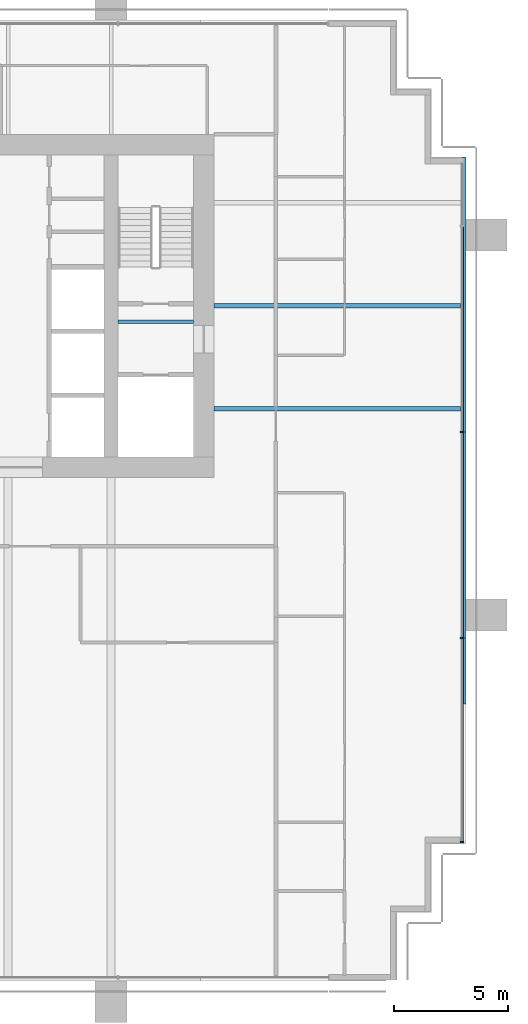
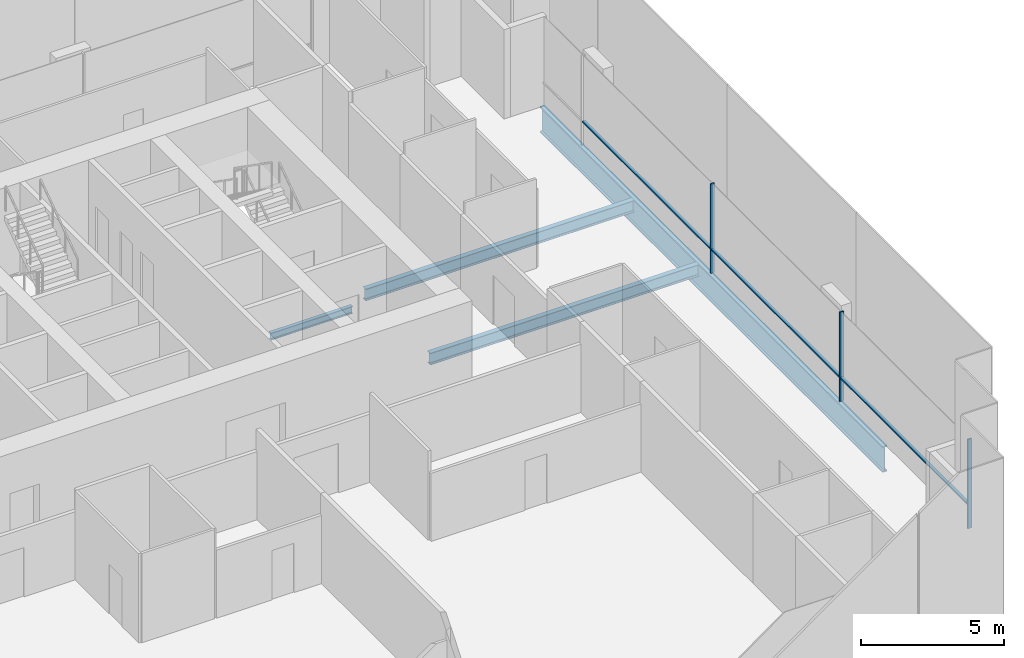
# One storey, part 6 of 17: 6 members, 4 beams, 1 element without a shape of its own.
"""IFC4 building model written with IfcOpenShell, lengths in metres."""

from ifc_helpers import new_model, si_unit, direction, frame, origin, origin_2d, place, context, subcontext, project, spatial, rectangle, i_section, extrude, material, material_profile, profile_set, type_object, element, aggregate, save


model = new_model("IFC4")

# Units and contexts
model_context = context("Model", 3, precision=1e-05, world=origin(), true_north=direction((0.0, 1.0)))
body_context = subcontext(model_context, "Body", "Model", "MODEL_VIEW")
ifc_project = project(units=[si_unit("LENGTHUNIT", "METRE"), si_unit("AREAUNIT", "SQUARE_METRE"), si_unit("VOLUMEUNIT", "CUBIC_METRE"), si_unit("PLANEANGLEUNIT", "RADIAN"), si_unit("MASSUNIT", "GRAM", prefix="KILO")], contexts=[model_context])

# Site, building, storey
site_placement = place(None, origin())
site = spatial("IfcSite", under=ifc_project, at=site_placement, CompositionType="ELEMENT")
building_placement = place(site_placement, origin())
building = spatial("IfcBuilding", under=site, at=building_placement, Name="Rattan Terrace Tower", CompositionType="ELEMENT")
storey_placement = place(building_placement, frame((0.0, 0.0, 126.10009765625)))
storey = spatial("IfcBuildingStorey", under=building, at=storey_placement, Name="L28", CompositionType="ELEMENT", Elevation=126.10009765625)

# Curtain wall, members
ifc_material_1 = material(Name="Aluminium and glass", Category="aluminium")
curtain_wall_type = type_object("IfcCurtainWallType", Name="Facade Unitised Curtain Wall", PredefinedType="NOTDEFINED", material=ifc_material_1)
curtain_wall_placement = place(storey_placement, origin())
curtain_wall = element("IfcCurtainWall", 1, at=curtain_wall_placement, inside=storey, type_object=curtain_wall_type, Name="Curtain wall L28-1", PredefinedType="NOTDEFINED")
ifc_material_2 = material(Name="Aluminium", Category="aluminium")
ifc_material_profile_1 = material_profile(ifc_material_2, rectangle(XDim=0.06005859375, YDim=0.159912109375, at=origin_2d()), Name="Aluminium 60x160")
ifc_profile_set_1 = profile_set([ifc_material_profile_1], Name="Aluminium")
member_type_1 = type_object("IfcMemberType", Name="Facade CW Mullion 60x160", PredefinedType="MULLION", material=ifc_profile_set_1)
member_1_placement = place(storey_placement, frame((28.830078125, -23.425048828125, 0.0), z_axis=(0.0, 0.0, 1.0), x_axis=(0.0, 1.0, 0.0)))
member_1 = element("IfcMember", 2, at=member_1_placement, type_object=member_type_1, Name="Mullion cwl-L28-001.1", PredefinedType="MULLION", context=body_context, shape_type="SweptSolid", body=[
    extrude(rectangle(XDim=0.06005859375, YDim=0.159912109375, at=origin_2d()), origin(), (0.0, 0.0, 1.0), 3.7998046875),
])
member_2_placement = place(storey_placement, frame((28.830078125, -14.5, 0.0), z_axis=(0.0, 0.0, 1.0), x_axis=(0.0, 1.0, 0.0)))
member_2 = element("IfcMember", 3, at=member_2_placement, type_object=member_type_1, Name="Mullion cwl-L28-001.2", PredefinedType="MULLION", context=body_context, shape_type="SweptSolid", body=[
    extrude(rectangle(XDim=0.06005859375, YDim=0.159912109375, at=origin_2d()), origin(), (0.0, 0.0, 1.0), 3.7998046875),
])
member_3_placement = place(storey_placement, frame((28.830078125, -5.5, 0.0), z_axis=(0.0, 0.0, 1.0), x_axis=(0.0, 1.0, 0.0)))
member_3 = element("IfcMember", 4, at=member_3_placement, type_object=member_type_1, Name="Mullion cwl-L28-001.3", PredefinedType="MULLION", context=body_context, shape_type="SweptSolid", body=[
    extrude(rectangle(XDim=0.06005859375, YDim=0.159912109375, at=origin_2d()), origin(), (0.0, 0.0, 1.0), 3.7998046875),
])
ifc_material_3 = material(Name="Aluminium", Category="aluminium")
ifc_material_profile_2 = material_profile(ifc_material_3, rectangle(XDim=0.1201171875, YDim=0.06005859375, at=origin_2d()), Name="Aluminium 120x60")
ifc_profile_set_2 = profile_set([ifc_material_profile_2], Name="Aluminium")
member_type_2 = type_object("IfcMemberType", Name="Facade CW Transom 120x60", PredefinedType="USERDEFINED", material=ifc_profile_set_2)
member_4_placement = place(storey_placement, frame((28.830078125, -23.39501953125, 1.0), z_axis=(0.0, 1.0, 0.0), x_axis=(-1.0, 0.0, 0.0)))
member_4 = element("IfcMember", 5, at=member_4_placement, type_object=member_type_2, Name="Transom cwl-L28-001.1", ObjectType="TRANSOM", PredefinedType="USERDEFINED", context=body_context, shape_type="SweptSolid", body=[
    extrude(rectangle(XDim=0.1201171875, YDim=0.06005859375, at=origin_2d()), origin(), (0.0, 0.0, 1.0), 8.864990234375),
])
member_5_placement = place(storey_placement, frame((28.830078125, -14.469970703125, 1.0), z_axis=(0.0, 1.0, 0.0), x_axis=(-1.0, 0.0, 0.0)))
member_5 = element("IfcMember", 6, at=member_5_placement, type_object=member_type_2, Name="Transom cwl-L28-001.2", ObjectType="TRANSOM", PredefinedType="USERDEFINED", context=body_context, shape_type="SweptSolid", body=[
    extrude(rectangle(XDim=0.1201171875, YDim=0.06005859375, at=origin_2d()), origin(), (0.0, 0.0, 1.0), 8.93994140625),
])
member_6_placement = place(storey_placement, frame((28.830078125, -5.469970703125, 1.0), z_axis=(0.0, 1.0, 0.0), x_axis=(-1.0, 0.0, 0.0)))
member_6 = element("IfcMember", 7, at=member_6_placement, type_object=member_type_2, Name="Transom cwl-L28-001.3", ObjectType="TRANSOM", PredefinedType="USERDEFINED", context=body_context, shape_type="SweptSolid", body=[
    extrude(rectangle(XDim=0.1201171875, YDim=0.06005859375, at=origin_2d()), origin(), (0.0, 0.0, 1.0), 8.93994140625),
])
aggregate(curtain_wall, [member_1, member_2, member_3, member_4, member_5, member_6])

# Beams
ifc_material_4 = material(Name="Steel S460", Category="steel")
ifc_material_profile_3 = material_profile(ifc_material_4, i_section(OverallWidth=0.179931640625, OverallDepth=1.10009765625, WebThickness=0.01611328125, FlangeThickness=0.050048828125, at=origin_2d()), Name="PG 1100x180-16-50")
ifc_profile_set_3 = profile_set([ifc_material_profile_3], Name="Steel S460")
beam_type_1 = type_object("IfcBeamType", Name="Frame edge girder PG 1100x180-16-50", PredefinedType="SPANDREL", material=ifc_profile_set_3)
beam_1_placement = place(storey_placement, frame((28.909912109375, 6.5, -0.75), z_axis=(0.0, -1.0, 0.0), x_axis=(1.0, 0.0, 0.0)))
element("IfcBeam", 8, at=beam_1_placement, inside=storey, type_object=beam_type_1, Name="gdr-L28-004", PredefinedType="SPANDREL", context=body_context, shape_type="SweptSolid", body=[
    extrude(i_section(OverallWidth=0.179931640625, OverallDepth=1.10009765625, WebThickness=0.01611328125, FlangeThickness=0.050048828125, at=origin_2d()), origin(), (0.0, 0.0, 1.0), 23.89990234375),
])
ifc_material_5 = material(Name="Steel S355", Category="steel")
ifc_material_profile_4 = material_profile(ifc_material_5, i_section(OverallWidth=0.14990234375, OverallDepth=0.300048828125, WebThickness=0.007080078125, FlangeThickness=0.0107421875, FilletRadius=0.014892578125, at=origin_2d()), Name="IPE 300")
ifc_profile_set_4 = profile_set([ifc_material_profile_4], Name="Steel S355")
beam_type_2 = type_object("IfcBeamType", Name="Frame floor beam IPE 300", PredefinedType="JOIST", material=ifc_profile_set_4)
beam_2_placement = place(storey_placement, frame((13.800048828125, -0.695068359375, -0.35009765625), z_axis=(1.0, 0.0, 0.0), x_axis=(0.0, 1.0, 0.0)))
element("IfcBeam", 9, at=beam_2_placement, inside=storey, type_object=beam_type_2, Name="bm-L28-002", PredefinedType="JOIST", context=body_context, shape_type="SweptSolid", body=[
    extrude(i_section(OverallWidth=0.14990234375, OverallDepth=0.300048828125, WebThickness=0.007080078125, FlangeThickness=0.0107421875, FilletRadius=0.014892578125, at=origin_2d()), origin(), (0.0, 0.0, 1.0), 3.300048828125),
])
ifc_material_6 = material(Name="Steel S355", Category="steel")
ifc_material_profile_5 = material_profile(ifc_material_6, i_section(OverallWidth=0.199951171875, OverallDepth=0.5, WebThickness=0.01025390625, FlangeThickness=0.01611328125, FilletRadius=0.02099609375, at=origin_2d()), Name="IPE 500")
ifc_profile_set_5 = profile_set([ifc_material_profile_5], Name="Steel S355")
beam_type_3 = type_object("IfcBeamType", Name="Frame floor beam IPE 500", PredefinedType="JOIST", material=ifc_profile_set_5)
for number, where, z_axis, x_axis, name in (
    (10, (18.0, -4.5, -0.4501953125), (1.0, 0.0, 0.0), (0.0, 1.0, 0.0), "bm-L28-011"),
    (11, (18.0, 0.0, -0.4501953125), (1.0, 0.0, 0.0), (0.0, 1.0, 0.0), "bm-L28-013"),
):
    element("IfcBeam", number, at=place(storey_placement, frame(where, z_axis=z_axis, x_axis=x_axis)), inside=storey, type_object=beam_type_3, Name=name, PredefinedType="JOIST", context=body_context, shape_type="SweptSolid", body=[
        extrude(i_section(OverallWidth=0.199951171875, OverallDepth=0.5, WebThickness=0.01025390625, FlangeThickness=0.01611328125, FilletRadius=0.02099609375, at=origin_2d()), origin(), (0.0, 0.0, 1.0), 10.820068359375),
    ])

save(model, "model.ifc")
